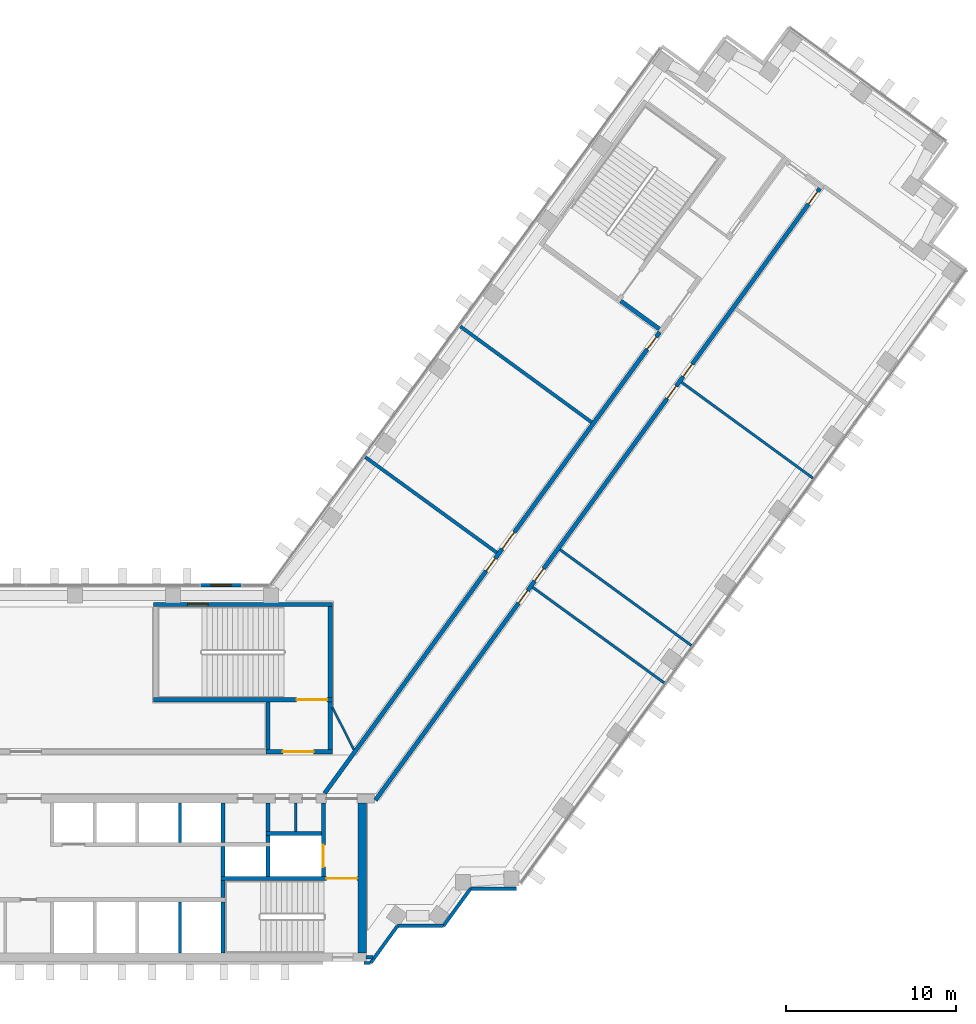
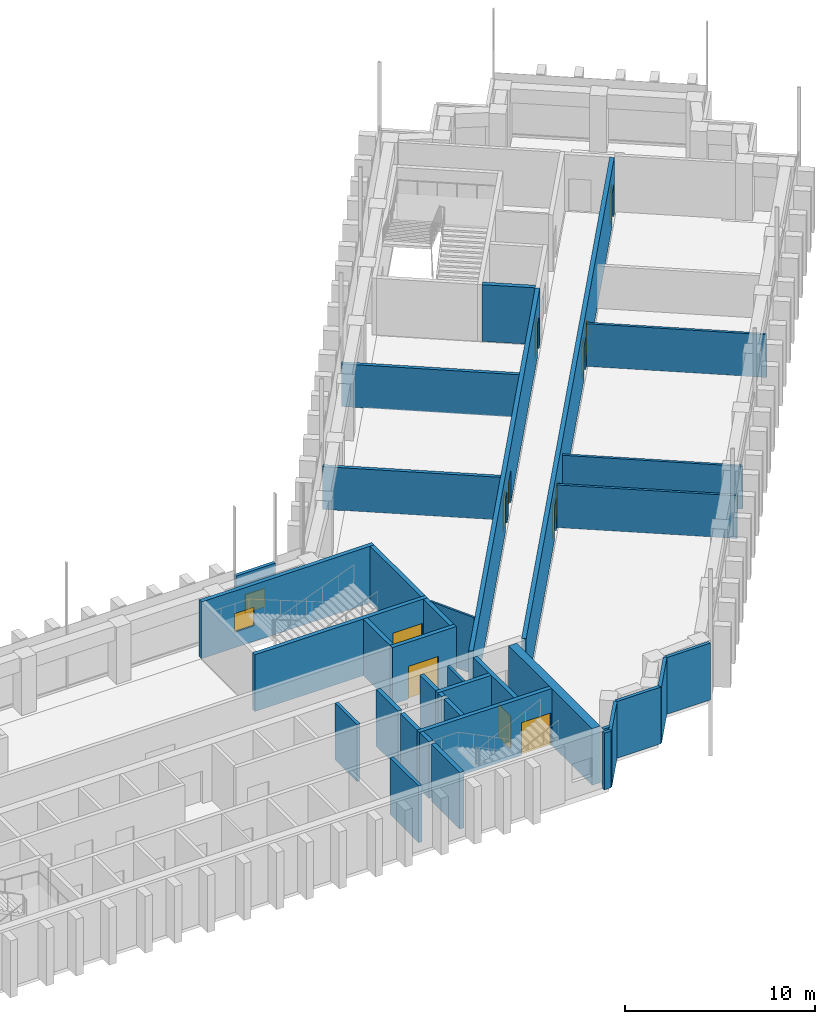
# One storey, part 13 of 19: 36 walls, 12 doors, 2 windows, 14 openings.
"""IFC4 building model written with IfcOpenShell, lengths in metres."""

from ifc_helpers import new_model, si_unit, direction, frame, frame_2d, origin, place, context, subcontext, project, spatial, rectangle, extrude, material, layer, layer_set, type_object, element, fill, save


model = new_model("IFC4")

# Units and contexts
model_context = context("Model", 3, precision=1e-05, world=origin(), true_north=direction((0.0, 1.0)))
body_context = subcontext(model_context, "Body", "Model", "MODEL_VIEW")
ifc_project = project(units=[si_unit("LENGTHUNIT", "METRE"), si_unit("AREAUNIT", "SQUARE_METRE"), si_unit("VOLUMEUNIT", "CUBIC_METRE"), si_unit("PLANEANGLEUNIT", "RADIAN"), si_unit("MASSUNIT", "GRAM", prefix="KILO")], contexts=[model_context])

# Site, building, storey
site_placement = place(None, origin())
site = spatial("IfcSite", under=ifc_project, at=site_placement, CompositionType="ELEMENT")
building_placement = place(site_placement, origin())
building = spatial("IfcBuilding", under=site, at=building_placement, Name="Quipu Civic Tower", CompositionType="ELEMENT")
storey_placement = place(building_placement, frame((0.0, 0.0, 47.0)))
storey = spatial("IfcBuildingStorey", under=building, at=storey_placement, Name="L10", CompositionType="ELEMENT", Elevation=47.0)

# Walls
ifc_material_1 = material(Name="Double gypsum plasterboard with mineral wool")
ifc_layer_1 = layer(ifc_material_1, 0.14990234375)
ifc_layer_set_1 = layer_set([ifc_layer_1], Name="Double gypsum plasterboard with mineral wool")
wall_type_1 = type_object("IfcWallType", Name="Acoustic partition 150 plasterboard", PredefinedType="PARTITIONING", material=ifc_layer_set_1)
wall_1_placement = place(storey_placement, frame((38.521728515625, 23.026123046875, 0.0), z_axis=(0.0, 0.0, 1.0), x_axis=(0.807606997933, -0.589721067023, 0.0)))
element("IfcWall", 1, at=wall_1_placement, inside=storey, type_object=wall_type_1, Name="Partition P06", PredefinedType="PARTITIONING", context=body_context, shape_type="SweptSolid", body=[
    extrude(rectangle(XDim=9.550048828125, YDim=0.14990234375, at=frame_2d((4.77490234375, 0.0))), origin(), (0.0, 0.0, 1.0), 2.75),
])
for number, where, z_axis, x_axis, name in (
    (2, (37.495849609375, 5.36669921875, 0.0), (0.0, 0.0, 1.0), (-0.809048817734, 0.587741448702, 0.0), "Partition P12"),
    (3, (31.3798828125, 13.1962890625, 0.0), (0.0, 0.0, 1.0), (0.807691251741, -0.589605666408, 0.0), "Partition P13"),
):
    element("IfcWall", number, at=place(storey_placement, frame(where, z_axis=z_axis, x_axis=x_axis)), inside=storey, type_object=wall_type_1, Name=name, PredefinedType="PARTITIONING", context=body_context, shape_type="SweptSolid", body=[
        extrude(rectangle(XDim=9.55029296875, YDim=0.14990234375, at=frame_2d((4.775146484375, 0.0))), origin(), (0.0, 0.0, 1.0), 2.75),
    ])
ifc_material_2 = material(Name="Fired clay blockwork", Category="masonry")
ifc_layer_2 = layer(ifc_material_2, 0.199951171875)
ifc_layer_set_2 = layer_set([ifc_layer_2], Name="Fired clay blockwork")
wall_type_2 = type_object("IfcWallType", Name="Blockwork wall 200", PredefinedType="SOLIDWALL", material=ifc_layer_set_2)
wall_2_placement = place(storey_placement, frame((27.664306640625, 13.015869140625, 0.0), z_axis=(0.0, 0.0, 1.0), x_axis=(-0.80900684162, 0.587799226107, 0.0)))
element("IfcWall", 4, at=wall_2_placement, inside=storey, type_object=wall_type_2, Name="Partition P05", PredefinedType="SOLIDWALL", context=body_context, shape_type="SweptSolid", body=[
    extrude(rectangle(XDim=9.550048828125, YDim=0.199951171875, at=frame_2d((4.77490234375, 0.0))), origin(), (0.0, 0.0, 1.0), 2.75),
])
wall_3_placement = place(storey_placement, frame((25.517578125, 26.30859375, 0.0), z_axis=(0.0, 0.0, 1.0), x_axis=(0.807610282865, -0.589716568371, 0.0)))
element("IfcWall", 5, at=wall_3_placement, inside=storey, type_object=wall_type_2, Name="Partition P11", PredefinedType="SOLIDWALL", context=body_context, shape_type="SweptSolid", body=[
    extrude(rectangle(XDim=9.549560546875, YDim=0.199951171875, at=frame_2d((4.77490234375, 0.0))), origin(), (0.0, 0.0, 1.0), 2.75),
])
ifc_material_3 = material(Name="Concrete C70/85", Category="concrete")
ifc_layer_3 = layer(ifc_material_3, 0.25)
ifc_layer_set_3 = layer_set([ifc_layer_3], Name="Concrete C70/85")
wall_type_3 = type_object("IfcWallType", Name="Core wall 250", PredefinedType="SHEAR", material=ifc_layer_set_3)
wall_4_placement = place(storey_placement, frame((11.574951171875, -10.5, 0.0), z_axis=(0.0, 0.0, 1.0), x_axis=(0.0, 1.0, 0.0)))
element("IfcWall", 6, at=wall_4_placement, inside=storey, type_object=wall_type_3, Name="Core wall", PredefinedType="SHEAR", context=body_context, shape_type="SweptSolid", body=[
    extrude(rectangle(XDim=3.0, YDim=0.25, at=frame_2d((1.5, 0.0))), origin(), (0.0, 0.0, 1.0), 3.64990234375),
])
wall_5_placement = place(storey_placement, frame((11.574951171875, -7.25, 0.0), z_axis=(0.0, 0.0, 1.0), x_axis=(0.0, 1.0, 0.0)))
element("IfcWall", 7, at=wall_5_placement, inside=storey, type_object=wall_type_3, Name="Core wall", PredefinedType="SHEAR", context=body_context, shape_type="SweptSolid", body=[
    extrude(rectangle(XDim=1.0, YDim=0.25, at=frame_2d((0.5, 0.0))), origin(), (0.0, 0.0, 1.0), 3.64990234375),
])

# Wall, opening, door
wall_6_placement = place(storey_placement, frame((19.5, -6.125, 0.0), z_axis=(0.0, 0.0, 1.0), x_axis=(-1.0, 0.0, 0.0)))
wall_6 = element("IfcWall", 8, at=wall_6_placement, inside=storey, type_object=wall_type_3, Name="Core wall", PredefinedType="SHEAR", context=body_context, shape_type="SweptSolid", body=[
    extrude(rectangle(XDim=8.050048828125, YDim=0.25, at=frame_2d((4.02490234375, 0.0))), origin(), (0.0, 0.0, 1.0), 3.64990234375),
])
opening_1_placement = place(wall_6_placement, frame((0.050048828125, 0.0, 0.0)))
opening_1 = element("IfcOpeningElement", 9, at=opening_1_placement, cuts=wall_6, Name="Opening CD-04", PredefinedType="OPENING", context=body_context, shape_type="SweptSolid", body=[
    extrude(rectangle(XDim=1.800048828125, YDim=2.10009765625, at=frame_2d((0.89990234375, 1.050048828125))), frame((0.0, 0.135009765625, 0.0), z_axis=(0.0, -1.0, 0.0), x_axis=(1.0, 0.0, 0.0)), (0.0, 0.0, 1.0), 0.27001953125),
])
ifc_material_4 = material(Name="Fire rated steel door", Category="steel")
door_type_1 = type_object("IfcDoorType", Name="Fire door FD90 double 1800 x 2100", OperationType="NOTDEFINED", PredefinedType="DOOR", material=ifc_material_4)
door_1_placement = place(opening_1_placement, origin())
door_1 = element("IfcDoor", 10, at=door_1_placement, inside=storey, type_object=door_type_1, Name="Door", OperationType="DOUBLE_DOOR_SINGLE_SWING", OverallHeight=2.10009765625, OverallWidth=1.800048828125, PredefinedType="DOOR", context=body_context, shape_type="SweptSolid", body=[
    extrude(rectangle(XDim=1.800048828125, YDim=2.10009765625, at=frame_2d((0.89990234375, 1.050048828125))), frame((0.0, 0.02490234375, 0.0), z_axis=(0.0, -1.0, 0.0), x_axis=(1.0, 0.0, 0.0)), (0.0, 0.0, 1.0), 0.050048828125),
])
fill(opening_1, door_1)

# Walls
for number, where, z_axis, x_axis, name in (
    (11, (11.574951171875, -6.0, 0.0), (0.0, 0.0, 1.0), (0.0, 1.0, 0.0), "Core wall"),
    (12, (14.22509765625, -6.0, 0.0), (0.0, 0.0, 1.0), (0.0, 1.0, 0.0), "Core wall"),
):
    element("IfcWall", number, at=place(storey_placement, frame(where, z_axis=z_axis, x_axis=x_axis)), inside=storey, type_object=wall_type_3, Name=name, PredefinedType="SHEAR", context=body_context, shape_type="SweptSolid", body=[
        extrude(rectangle(XDim=1.75, YDim=0.25, at=frame_2d((0.875, 0.0))), origin(), (0.0, 0.0, 1.0), 3.64990234375),
    ])

# Wall, opening, door
wall_7_placement = place(storey_placement, frame((17.47509765625, -6.0, 0.0), z_axis=(0.0, 0.0, 1.0), x_axis=(0.0, 1.0, 0.0)))
wall_7 = element("IfcWall", 13, at=wall_7_placement, inside=storey, type_object=wall_type_3, Name="Core wall", PredefinedType="SHEAR", context=body_context, shape_type="SweptSolid", body=[
    extrude(rectangle(XDim=4.300048828125, YDim=0.25, at=frame_2d((2.14990234375, 0.0))), origin(), (0.0, 0.0, 1.0), 3.64990234375),
])
opening_2_placement = place(wall_7_placement, frame((0.550048828125, 0.0, 0.0)))
opening_2 = element("IfcOpeningElement", 14, at=opening_2_placement, cuts=wall_7, Name="Opening LD-FF2", PredefinedType="OPENING", context=body_context, shape_type="SweptSolid", body=[
    extrude(rectangle(XDim=1.300048828125, YDim=2.10009765625, at=frame_2d((0.64990234375, 1.050048828125))), frame((0.0, 0.135009765625, 0.0), z_axis=(0.0, -1.0, 0.0), x_axis=(1.0, 0.0, 0.0)), (0.0, 0.0, 1.0), 0.27001953125),
])
ifc_material_5 = material(Name="Stainless steel", Category="steel")
door_type_2 = type_object("IfcDoorType", Name="Lift landing door 1300 x 2100", OperationType="DOUBLE_DOOR_SLIDING", PredefinedType="DOOR", material=ifc_material_5)
door_2_placement = place(opening_2_placement, origin())
door_2 = element("IfcDoor", 15, at=door_2_placement, inside=storey, type_object=door_type_2, Name="Landing door FF2", OperationType="DOUBLE_DOOR_SLIDING", OverallHeight=2.10009765625, OverallWidth=1.300048828125, PredefinedType="DOOR", context=body_context, shape_type="SweptSolid", body=[
    extrude(rectangle(XDim=1.300048828125, YDim=2.10009765625, at=frame_2d((0.64990234375, 1.050048828125))), frame((0.0, 0.02490234375, 0.0), z_axis=(0.0, -1.0, 0.0), x_axis=(1.0, 0.0, 0.0)), (0.0, 0.0, 1.0), 0.050048828125),
])
fill(opening_2, door_2)

# Walls
wall_8_placement = place(storey_placement, frame((11.574951171875, -4.0, 0.0), z_axis=(0.0, 0.0, 1.0), x_axis=(0.0, 1.0, 0.0)))
element("IfcWall", 16, at=wall_8_placement, inside=storey, type_object=wall_type_3, Name="Core wall", PredefinedType="SHEAR", context=body_context, shape_type="SweptSolid", body=[
    extrude(rectangle(XDim=2.300048828125, YDim=0.25, at=frame_2d((1.14990234375, 0.0))), origin(), (0.0, 0.0, 1.0), 3.64990234375),
])
wall_9_placement = place(storey_placement, frame((14.22509765625, -4.0, 0.0), z_axis=(0.0, 0.0, 1.0), x_axis=(0.0, 1.0, 0.0)))
element("IfcWall", 17, at=wall_9_placement, inside=storey, type_object=wall_type_3, Name="Core wall", PredefinedType="SHEAR", context=body_context, shape_type="SweptSolid", body=[
    extrude(rectangle(XDim=0.39990234375, YDim=0.25, at=frame_2d((0.199951171875, 0.0))), origin(), (0.0, 0.0, 1.0), 3.64990234375),
])
wall_10_placement = place(storey_placement, frame((14.10009765625, -3.47509765625, 0.0), z_axis=(0.0, 0.0, 1.0), x_axis=(1.0, 0.0, 0.0)))
element("IfcWall", 18, at=wall_10_placement, inside=storey, type_object=wall_type_3, Name="Core wall", PredefinedType="SHEAR", context=body_context, shape_type="SweptSolid", body=[
    extrude(rectangle(XDim=3.25, YDim=0.25, at=frame_2d((1.625, 0.0))), origin(), (0.0, 0.0, 1.0), 3.64990234375),
])
wall_11_placement = place(storey_placement, frame((14.22509765625, -3.35009765625, 0.0), z_axis=(0.0, 0.0, 1.0), x_axis=(0.0, 1.0, 0.0)))
element("IfcWall", 19, at=wall_11_placement, inside=storey, type_object=wall_type_3, Name="Core wall", PredefinedType="SHEAR", context=body_context, shape_type="SweptSolid", body=[
    extrude(rectangle(XDim=1.650146484375, YDim=0.25, at=frame_2d((0.8251953125, 0.0))), origin(), (0.0, 0.0, 1.0), 3.64990234375),
])

# Wall, opening, door
wall_12_placement = place(storey_placement, frame((14.10009765625, 1.324951171875, 0.0), z_axis=(0.0, 0.0, 1.0), x_axis=(1.0, 0.0, 0.0)))
wall_12 = element("IfcWall", 20, at=wall_12_placement, inside=storey, type_object=wall_type_3, Name="Core wall", PredefinedType="SHEAR", context=body_context, shape_type="SweptSolid", body=[
    extrude(rectangle(XDim=3.89990234375, YDim=0.25, at=frame_2d((1.949951171875, 0.0))), origin(), (0.0, 0.0, 1.0), 3.64990234375),
])
opening_3_placement = place(wall_12_placement, frame((1.0, 0.0, 0.0)))
opening_3 = element("IfcOpeningElement", 21, at=opening_3_placement, cuts=wall_12, Name="Opening CD-16", PredefinedType="OPENING", context=body_context, shape_type="SweptSolid", body=[
    extrude(rectangle(XDim=1.800048828125, YDim=2.10009765625, at=frame_2d((0.89990234375, 1.050048828125))), frame((0.0, 0.135009765625, 0.0), z_axis=(0.0, -1.0, 0.0), x_axis=(1.0, 0.0, 0.0)), (0.0, 0.0, 1.0), 0.27001953125),
])
door_3_placement = place(opening_3_placement, origin())
door_3 = element("IfcDoor", 22, at=door_3_placement, inside=storey, type_object=door_type_1, Name="Lobby door", OperationType="DOUBLE_DOOR_SINGLE_SWING", OverallHeight=2.10009765625, OverallWidth=1.800048828125, PredefinedType="DOOR", context=body_context, shape_type="SweptSolid", body=[
    extrude(rectangle(XDim=1.800048828125, YDim=2.10009765625, at=frame_2d((0.89990234375, 1.050048828125))), frame((0.0, 0.02490234375, 0.0), z_axis=(0.0, -1.0, 0.0), x_axis=(1.0, 0.0, 0.0)), (0.0, 0.0, 1.0), 0.050048828125),
])
fill(opening_3, door_3)

# Walls
for number, where, z_axis, x_axis, name in (
    (23, (14.22509765625, 1.449951171875, 0.0), (0.0, 0.0, 1.0), (0.0, 1.0, 0.0), "Core wall"),
    (24, (17.875, 1.449951171875, 0.0), (0.0, 0.0, 1.0), (0.0, 1.0, 0.0), "Core wall"),
):
    element("IfcWall", number, at=place(storey_placement, frame(where, z_axis=z_axis, x_axis=x_axis)), inside=storey, type_object=wall_type_3, Name=name, PredefinedType="SHEAR", context=body_context, shape_type="SweptSolid", body=[
        extrude(rectangle(XDim=2.800048828125, YDim=0.25, at=frame_2d((1.39990234375, 0.0))), origin(), (0.0, 0.0, 1.0), 3.64990234375),
    ])

# Wall, opening, door
wall_13_placement = place(storey_placement, frame((7.5, 4.375, 0.0), z_axis=(0.0, 0.0, 1.0), x_axis=(1.0, 0.0, 0.0)))
wall_13 = element("IfcWall", 25, at=wall_13_placement, inside=storey, type_object=wall_type_3, Name="Core wall", PredefinedType="SHEAR", context=body_context, shape_type="SweptSolid", body=[
    extrude(rectangle(XDim=10.5, YDim=0.25, at=frame_2d((5.25, 0.0))), origin(), (0.0, 0.0, 1.0), 3.64990234375),
])
opening_4_placement = place(wall_13_placement, frame((8.39990234375, 0.0, 0.0)))
opening_4 = element("IfcOpeningElement", 26, at=opening_4_placement, cuts=wall_13, Name="Opening CD-17", PredefinedType="OPENING", context=body_context, shape_type="SweptSolid", body=[
    extrude(rectangle(XDim=1.800048828125, YDim=2.10009765625, at=frame_2d((0.89990234375, 1.050048828125))), frame((0.0, 0.135009765625, 0.0), z_axis=(0.0, -1.0, 0.0), x_axis=(1.0, 0.0, 0.0)), (0.0, 0.0, 1.0), 0.27001953125),
])
door_4_placement = place(opening_4_placement, origin())
door_4 = element("IfcDoor", 27, at=door_4_placement, inside=storey, type_object=door_type_1, Name="Door", OperationType="DOUBLE_DOOR_SINGLE_SWING", OverallHeight=2.10009765625, OverallWidth=1.800048828125, PredefinedType="DOOR", context=body_context, shape_type="SweptSolid", body=[
    extrude(rectangle(XDim=1.800048828125, YDim=2.10009765625, at=frame_2d((0.89990234375, 1.050048828125))), frame((0.0, 0.02490234375, 0.0), z_axis=(0.0, -1.0, 0.0), x_axis=(1.0, 0.0, 0.0)), (0.0, 0.0, 1.0), 0.050048828125),
])
fill(opening_4, door_4)

# Wall
wall_14_placement = place(storey_placement, frame((17.875, 4.5, 0.0), z_axis=(0.0, 0.0, 1.0), x_axis=(0.0, 1.0, 0.0)))
element("IfcWall", 28, at=wall_14_placement, inside=storey, type_object=wall_type_3, Name="Core wall", PredefinedType="SHEAR", context=body_context, shape_type="SweptSolid", body=[
    extrude(rectangle(XDim=5.35009765625, YDim=0.25, at=frame_2d((2.675048828125, 0.0))), origin(), (0.0, 0.0, 1.0), 3.64990234375),
])

# Wall, opening, window
wall_15_placement = place(storey_placement, frame((7.5, 9.97509765625, 0.0), z_axis=(0.0, 0.0, 1.0), x_axis=(1.0, 0.0, 0.0)))
wall_15 = element("IfcWall", 29, at=wall_15_placement, inside=storey, type_object=wall_type_3, Name="Core wall", PredefinedType="SHEAR", context=body_context, shape_type="SweptSolid", body=[
    extrude(rectangle(XDim=10.5, YDim=0.25, at=frame_2d((5.25, 0.0))), origin(), (0.0, 0.0, 1.0), 3.64990234375),
])
opening_5_placement = place(wall_15_placement, frame((2.0, 0.0, 1.0)))
opening_5 = element("IfcOpeningElement", 30, at=opening_5_placement, cuts=wall_15, Name="Opening SV-4", PredefinedType="OPENING", context=body_context, shape_type="SweptSolid", body=[
    extrude(rectangle(XDim=1.199951171875, YDim=1.199951171875, at=frame_2d((0.60009765625, 0.60009765625))), frame((0.0, 0.135009765625, 0.0), z_axis=(0.0, -1.0, 0.0), x_axis=(1.0, 0.0, 0.0)), (0.0, 0.0, 1.0), 0.27001953125),
])
ifc_material_6 = material(Name="Aluminium louvre", Category="aluminium")
window_type_1 = type_object("IfcWindowType", Name="Stair ventilation louvre 1200 x 1200", PartitioningType="SINGLE_PANEL", PredefinedType="WINDOW", material=ifc_material_6)
window_1_placement = place(opening_5_placement, origin())
window_1 = element("IfcWindow", 31, at=window_1_placement, inside=storey, type_object=window_type_1, Name="Stair ventilation opening", OverallHeight=1.199951171875, OverallWidth=1.199951171875, PartitioningType="SINGLE_PANEL", PredefinedType="WINDOW", context=body_context, shape_type="SweptSolid", body=[
    extrude(rectangle(XDim=1.199951171875, YDim=1.199951171875, at=frame_2d((0.60009765625, 0.60009765625))), frame((0.0, 0.030029296875, 0.0), z_axis=(0.0, -1.0, 0.0), x_axis=(1.0, 0.0, 0.0)), (0.0, 0.0, 1.0), 0.06005859375),
])
fill(opening_5, window_1)

# Walls
wall_16_placement = place(storey_placement, frame((37.2099609375, 26.154296875, 0.0), z_axis=(0.0, 0.0, 1.0), x_axis=(-0.809041377956, 0.587751689708, 0.0)))
element("IfcWall", 32, at=wall_16_placement, inside=storey, type_object=wall_type_3, Name="Core wall", PredefinedType="SHEAR", context=body_context, shape_type="SweptSolid", body=[
    extrude(rectangle(XDim=2.800048828125, YDim=0.25, at=frame_2d((1.39990234375, 0.0))), origin(), (0.0, 0.0, 1.0), 3.64990234375),
])
ifc_material_7 = material(Name="Concrete C70/85", Category="concrete")
ifc_layer_4 = layer(ifc_material_7, 0.5)
ifc_layer_set_4 = layer_set([ifc_layer_4], Name="Concrete C70/85")
wall_type_4 = type_object("IfcWallType", Name="Core wall 500", PredefinedType="SHEAR", material=ifc_layer_set_4)
wall_17_placement = place(storey_placement, frame((19.75, -10.5, 0.0), z_axis=(0.0, 0.0, 1.0), x_axis=(0.0, 1.0, 0.0)))
element("IfcWall", 33, at=wall_17_placement, inside=storey, type_object=wall_type_4, Name="Core wall", PredefinedType="SHEAR", context=body_context, shape_type="SweptSolid", body=[
    extrude(rectangle(XDim=8.800048828125, YDim=0.5, at=frame_2d((4.39990234375, 0.0))), origin(), (0.0, 0.0, 1.0), 3.64990234375),
])

# Wall, openings, doors
ifc_material_8 = material(Name="Concrete C50/60", Category="concrete")
ifc_layer_5 = layer(ifc_material_8, 0.25)
ifc_layer_set_5 = layer_set([ifc_layer_5], Name="Concrete C50/60")
wall_type_5 = type_object("IfcWallType", Name="Corridor wall 250 concrete", PredefinedType="SOLIDWALL", material=ifc_layer_set_5)
wall_18_placement = place(storey_placement, frame((17.544921875, -1.124755859375, 0.0), z_axis=(0.0, 0.0, 1.0), x_axis=(0.587786323093, 0.809016216391, 0.0)))
wall_18 = element("IfcWall", 34, at=wall_18_placement, inside=storey, type_object=wall_type_5, Name="Corridor wall C06", PredefinedType="SOLIDWALL", context=body_context, shape_type="SweptSolid", body=[
    extrude(rectangle(XDim=33.4931640625, YDim=0.25, at=frame_2d((16.74658203125, 0.0))), origin(), (0.0, 0.0, 1.0), 3.64990234375),
])
opening_6_placement = place(wall_18_placement, frame((16.158203125, 0.0, 0.0)))
opening_6 = element("IfcOpeningElement", 35, at=opening_6_placement, cuts=wall_18, Name="Opening D001", PredefinedType="OPENING", context=body_context, shape_type="SweptSolid", body=[
    extrude(rectangle(XDim=0.89990234375, YDim=2.10009765625, at=frame_2d((0.449951171875, 1.050048828125))), frame((0.0, 0.135009765625, 0.0), z_axis=(0.0, -1.0, 0.0), x_axis=(1.0, 0.0, 0.0)), (0.0, 0.0, 1.0), 0.27001953125),
])
opening_7_placement = place(wall_18_placement, frame((32.2529296875, 0.0, 0.0)))
opening_7 = element("IfcOpeningElement", 36, at=opening_7_placement, cuts=wall_18, Name="Opening D003", PredefinedType="OPENING", context=body_context, shape_type="SweptSolid", body=[
    extrude(rectangle(XDim=0.89990234375, YDim=2.10009765625, at=frame_2d((0.449951171875, 1.050048828125))), frame((0.0, 0.135009765625, 0.0), z_axis=(0.0, -1.0, 0.0), x_axis=(1.0, 0.0, 0.0)), (0.0, 0.0, 1.0), 0.27001953125),
])
opening_8_placement = place(wall_18_placement, frame((17.757080078125, 0.0, 0.0)))
opening_8 = element("IfcOpeningElement", 37, at=opening_8_placement, cuts=wall_18, Name="Opening D002", PredefinedType="OPENING", context=body_context, shape_type="SweptSolid", body=[
    extrude(rectangle(XDim=1.199951171875, YDim=2.10009765625, at=frame_2d((0.60009765625, 1.050048828125))), frame((0.0, 0.135009765625, 0.0), z_axis=(0.0, -1.0, 0.0), x_axis=(1.0, 0.0, 0.0)), (0.0, 0.0, 1.0), 0.27001953125),
])
ifc_material_9 = material(Name="Fire rated timber door set with metal frame", Category="wood")
door_type_3 = type_object("IfcDoorType", Name="Single door 1200 x 2100 FD60", OperationType="NOTDEFINED", PredefinedType="DOOR", material=ifc_material_9)
door_5_placement = place(opening_8_placement, origin())
door_5 = element("IfcDoor", 38, at=door_5_placement, inside=storey, type_object=door_type_3, Name="Door D002", OperationType="SINGLE_SWING_LEFT", OverallHeight=2.10009765625, OverallWidth=1.199951171875, PredefinedType="DOOR", context=body_context, shape_type="SweptSolid", body=[
    extrude(rectangle(XDim=1.199951171875, YDim=2.10009765625, at=frame_2d((0.60009765625, 1.050048828125))), frame((0.0, 0.02490234375, 0.0), z_axis=(0.0, -1.0, 0.0), x_axis=(1.0, 0.0, 0.0)), (0.0, 0.0, 1.0), 0.050048828125),
])
fill(opening_8, door_5)
ifc_material_10 = material(Name="Fire rated timber door set with metal frame", Category="wood")
door_type_4 = type_object("IfcDoorType", Name="Single door 900 x 2100 FD60", OperationType="NOTDEFINED", PredefinedType="DOOR", material=ifc_material_10)
door_6_placement = place(opening_6_placement, origin())
door_6 = element("IfcDoor", 39, at=door_6_placement, inside=storey, type_object=door_type_4, Name="Door D001", OperationType="SINGLE_SWING_RIGHT", OverallHeight=2.10009765625, OverallWidth=0.89990234375, PredefinedType="DOOR", context=body_context, shape_type="SweptSolid", body=[
    extrude(rectangle(XDim=0.89990234375, YDim=2.10009765625, at=frame_2d((0.449951171875, 1.050048828125))), frame((0.0, 0.02490234375, 0.0), z_axis=(0.0, -1.0, 0.0), x_axis=(1.0, 0.0, 0.0)), (0.0, 0.0, 1.0), 0.050048828125),
])
fill(opening_6, door_6)
door_7_placement = place(opening_7_placement, origin())
door_7 = element("IfcDoor", 40, at=door_7_placement, inside=storey, type_object=door_type_4, Name="Door D003", OperationType="SINGLE_SWING_RIGHT", OverallHeight=2.10009765625, OverallWidth=0.89990234375, PredefinedType="DOOR", context=body_context, shape_type="SweptSolid", body=[
    extrude(rectangle(XDim=0.89990234375, YDim=2.10009765625, at=frame_2d((0.449951171875, 1.050048828125))), frame((0.0, 0.02490234375, 0.0), z_axis=(0.0, -1.0, 0.0), x_axis=(1.0, 0.0, 0.0)), (0.0, 0.0, 1.0), 0.050048828125),
])
fill(opening_7, door_7)

wall_19_placement = place(storey_placement, frame((46.640625, 34.413330078125, 0.0), z_axis=(0.0, 0.0, 1.0), x_axis=(-0.587785682186, -0.809016682039, 0.0)))
wall_19 = element("IfcWall", 41, at=wall_19_placement, inside=storey, type_object=wall_type_5, Name="Corridor wall C09", PredefinedType="SOLIDWALL", context=body_context, shape_type="SweptSolid", body=[
    extrude(rectangle(XDim=44.42041015625, YDim=0.25, at=frame_2d((22.210205078125, 0.0))), origin(), (0.0, 0.0, 1.0), 3.64990234375),
])
opening_9_placement = place(wall_19_placement, frame((12.7548828125, 0.0, 0.0)))
opening_9 = element("IfcOpeningElement", 42, at=opening_9_placement, cuts=wall_19, Name="Opening D008", PredefinedType="OPENING", context=body_context, shape_type="SweptSolid", body=[
    extrude(rectangle(XDim=0.89990234375, YDim=2.10009765625, at=frame_2d((0.449951171875, 1.050048828125))), frame((0.0, 0.135009765625, 0.0), z_axis=(0.0, -1.0, 0.0), x_axis=(1.0, 0.0, 0.0)), (0.0, 0.0, 1.0), 0.27001953125),
])
opening_10_placement = place(wall_19_placement, frame((29.20458984375, 0.0, 0.0)))
opening_10 = element("IfcOpeningElement", 43, at=opening_10_placement, cuts=wall_19, Name="Opening D005", PredefinedType="OPENING", context=body_context, shape_type="SweptSolid", body=[
    extrude(rectangle(XDim=0.89990234375, YDim=2.10009765625, at=frame_2d((0.449951171875, 1.050048828125))), frame((0.0, 0.135009765625, 0.0), z_axis=(0.0, -1.0, 0.0), x_axis=(1.0, 0.0, 0.0)), (0.0, 0.0, 1.0), 0.27001953125),
])
opening_11_placement = place(wall_19_placement, frame((14.354248046875, 0.0, 0.0)))
opening_11 = element("IfcOpeningElement", 44, at=opening_11_placement, cuts=wall_19, Name="Opening D007", PredefinedType="OPENING", context=body_context, shape_type="SweptSolid", body=[
    extrude(rectangle(XDim=0.89990234375, YDim=2.10009765625, at=frame_2d((0.449951171875, 1.050048828125))), frame((0.0, 0.135009765625, 0.0), z_axis=(0.0, -1.0, 0.0), x_axis=(1.0, 0.0, 0.0)), (0.0, 0.0, 1.0), 0.27001953125),
])
opening_12_placement = place(wall_19_placement, frame((27.6044921875, 0.0, 0.0)))
opening_12 = element("IfcOpeningElement", 45, at=opening_12_placement, cuts=wall_19, Name="Opening D006", PredefinedType="OPENING", context=body_context, shape_type="SweptSolid", body=[
    extrude(rectangle(XDim=0.89990234375, YDim=2.10009765625, at=frame_2d((0.449951171875, 1.050048828125))), frame((0.0, 0.135009765625, 0.0), z_axis=(0.0, -1.0, 0.0), x_axis=(1.0, 0.0, 0.0)), (0.0, 0.0, 1.0), 0.27001953125),
])
opening_13_placement = place(wall_19_placement, frame((0.224853515625, 0.0, 0.0)))
opening_13 = element("IfcOpeningElement", 46, at=opening_13_placement, cuts=wall_19, Name="Opening D009", PredefinedType="OPENING", context=body_context, shape_type="SweptSolid", body=[
    extrude(rectangle(XDim=0.89990234375, YDim=2.10009765625, at=frame_2d((0.449951171875, 1.050048828125))), frame((0.0, 0.135009765625, 0.0), z_axis=(0.0, -1.0, 0.0), x_axis=(1.0, 0.0, 0.0)), (0.0, 0.0, 1.0), 0.27001953125),
])
door_8_placement = place(opening_9_placement, origin())
door_8 = element("IfcDoor", 47, at=door_8_placement, inside=storey, type_object=door_type_4, Name="Door D008", OperationType="SINGLE_SWING_RIGHT", OverallHeight=2.10009765625, OverallWidth=0.89990234375, PredefinedType="DOOR", context=body_context, shape_type="SweptSolid", body=[
    extrude(rectangle(XDim=0.89990234375, YDim=2.10009765625, at=frame_2d((0.449951171875, 1.050048828125))), frame((0.0, 0.02490234375, 0.0), z_axis=(0.0, -1.0, 0.0), x_axis=(1.0, 0.0, 0.0)), (0.0, 0.0, 1.0), 0.050048828125),
])
fill(opening_9, door_8)
door_9_placement = place(opening_10_placement, origin())
door_9 = element("IfcDoor", 48, at=door_9_placement, inside=storey, type_object=door_type_4, Name="Door D005", OperationType="SINGLE_SWING_LEFT", OverallHeight=2.10009765625, OverallWidth=0.89990234375, PredefinedType="DOOR", context=body_context, shape_type="SweptSolid", body=[
    extrude(rectangle(XDim=0.89990234375, YDim=2.10009765625, at=frame_2d((0.449951171875, 1.050048828125))), frame((0.0, 0.02490234375, 0.0), z_axis=(0.0, -1.0, 0.0), x_axis=(1.0, 0.0, 0.0)), (0.0, 0.0, 1.0), 0.050048828125),
])
fill(opening_10, door_9)
door_10_placement = place(opening_11_placement, origin())
door_10 = element("IfcDoor", 49, at=door_10_placement, inside=storey, type_object=door_type_4, Name="Door D007", OperationType="SINGLE_SWING_LEFT", OverallHeight=2.10009765625, OverallWidth=0.89990234375, PredefinedType="DOOR", context=body_context, shape_type="SweptSolid", body=[
    extrude(rectangle(XDim=0.89990234375, YDim=2.10009765625, at=frame_2d((0.449951171875, 1.050048828125))), frame((0.0, 0.02490234375, 0.0), z_axis=(0.0, -1.0, 0.0), x_axis=(1.0, 0.0, 0.0)), (0.0, 0.0, 1.0), 0.050048828125),
])
fill(opening_11, door_10)
door_11_placement = place(opening_12_placement, origin())
door_11 = element("IfcDoor", 50, at=door_11_placement, inside=storey, type_object=door_type_4, Name="Door D006", OperationType="SINGLE_SWING_RIGHT", OverallHeight=2.10009765625, OverallWidth=0.89990234375, PredefinedType="DOOR", context=body_context, shape_type="SweptSolid", body=[
    extrude(rectangle(XDim=0.89990234375, YDim=2.10009765625, at=frame_2d((0.449951171875, 1.050048828125))), frame((0.0, 0.02490234375, 0.0), z_axis=(0.0, -1.0, 0.0), x_axis=(1.0, 0.0, 0.0)), (0.0, 0.0, 1.0), 0.050048828125),
])
fill(opening_12, door_11)
door_12_placement = place(opening_13_placement, origin())
door_12 = element("IfcDoor", 51, at=door_12_placement, inside=storey, type_object=door_type_4, Name="Door D009", OperationType="SINGLE_SWING_LEFT", OverallHeight=2.10009765625, OverallWidth=0.89990234375, PredefinedType="DOOR", context=body_context, shape_type="SweptSolid", body=[
    extrude(rectangle(XDim=0.89990234375, YDim=2.10009765625, at=frame_2d((0.449951171875, 1.050048828125))), frame((0.0, 0.02490234375, 0.0), z_axis=(0.0, -1.0, 0.0), x_axis=(1.0, 0.0, 0.0)), (0.0, 0.0, 1.0), 0.050048828125),
])
fill(opening_13, door_12)

# Walls
ifc_material_11 = material(Name="Gypsum plasterboard on light gauge framing")
ifc_layer_6 = layer(ifc_material_11, 0.1201171875)
ifc_layer_set_6 = layer_set([ifc_layer_6], Name="Gypsum plasterboard on light gauge framing")
wall_type_6 = type_object("IfcWallType", Name="Partition 120 plasterboard", PredefinedType="PARTITIONING", material=ifc_layer_set_6)
wall_20_placement = place(storey_placement, frame((18.0, 3.925048828125, 0.0), z_axis=(0.0, 0.0, 1.0), x_axis=(0.453950796792, -0.891026752736, 0.0)))
element("IfcWall", 52, at=wall_20_placement, inside=storey, type_object=wall_type_6, Name="Partition P19", PredefinedType="PARTITIONING", context=body_context, shape_type="SweptSolid", body=[
    extrude(rectangle(XDim=2.77783203125, YDim=0.1201171875, at=frame_2d((1.388916015625, 0.0))), origin(), (0.0, 0.0, 1.0), 3.64990234375),
])
ifc_material_12 = material(Name="Gypsum board partition")
ifc_layer_7 = layer(ifc_material_12, 0.14990234375)
ifc_layer_set_7 = layer_set([ifc_layer_7], Name="Gypsum board partition")
wall_type_7 = type_object("IfcWallType", Name="Partition 150", PredefinedType="PARTITIONING", material=ifc_layer_set_7)
wall_21_placement = place(storey_placement, frame((15.85009765625, -3.35009765625, 0.0), z_axis=(0.0, 0.0, 1.0), x_axis=(0.0, 1.0, 0.0)))
element("IfcWall", 53, at=wall_21_placement, inside=storey, type_object=wall_type_7, Name="Partition", PredefinedType="PARTITIONING", context=body_context, shape_type="SweptSolid", body=[
    extrude(rectangle(XDim=1.650146484375, YDim=0.14990234375, at=frame_2d((0.8251953125, 0.0))), origin(), (0.0, 0.0, 1.0), 3.64990234375),
])
ifc_material_13 = material(Name="Precast concrete C40/50", Category="concrete")
wall_type_8 = type_object("IfcWallType", Name="Precast cladding wall", PredefinedType="SOLIDWALL", material=ifc_material_13)
wall_22_placement = place(storey_placement, frame((19.85009765625, -11.087890625, 0.0), z_axis=(0.0, 0.0, 1.0), x_axis=(1.0, 0.0, 0.0)))
element("IfcWall", 54, at=wall_22_placement, inside=storey, type_object=wall_type_8, Name="Precast cladding wall L10 P11", PredefinedType="SOLIDWALL", context=body_context, shape_type="SweptSolid", body=[
    extrude(rectangle(XDim=0.40576171875, YDim=0.199951171875, at=frame_2d((0.202880859375, 0.0))), origin(), (0.0, 0.0, 1.0), 3.64990234375),
])
wall_23_placement = place(storey_placement, frame((20.253173828125, -11.083251953125, 0.0), z_axis=(0.0, 0.0, 1.0), x_axis=(0.587766567315, 0.809030569476, 0.0)))
element("IfcWall", 55, at=wall_23_placement, inside=storey, type_object=wall_type_8, Name="Precast cladding wall L10 P12", PredefinedType="SOLIDWALL", context=body_context, shape_type="SweptSolid", body=[
    extrude(rectangle(XDim=2.687744140625, YDim=0.199951171875, at=frame_2d((1.34375, 0.0))), origin(), (0.0, 0.0, 1.0), 3.64990234375),
])
wall_24_placement = place(storey_placement, frame((21.8427734375, -8.90380859375, 0.0), z_axis=(0.0, 0.0, 1.0), x_axis=(1.0, 0.0, 0.0)))
element("IfcWall", 56, at=wall_24_placement, inside=storey, type_object=wall_type_8, Name="Precast cladding wall L10 P13", PredefinedType="SOLIDWALL", context=body_context, shape_type="SweptSolid", body=[
    extrude(rectangle(XDim=2.699951171875, YDim=0.199951171875, at=frame_2d((1.35009765625, 0.0))), origin(), (0.0, 0.0, 1.0), 3.64990234375),
])
wall_25_placement = place(storey_placement, frame((24.533203125, -8.90869140625, 0.0), z_axis=(0.0, 0.0, 1.0), x_axis=(0.587720002413, 0.809064397168, 0.0)))
element("IfcWall", 57, at=wall_25_placement, inside=storey, type_object=wall_type_8, Name="Precast cladding wall L10 P14", PredefinedType="SOLIDWALL", context=body_context, shape_type="SweptSolid", body=[
    extrude(rectangle(XDim=2.7001953125, YDim=0.199951171875, at=frame_2d((1.35009765625, 0.0))), origin(), (0.0, 0.0, 1.0), 3.64990234375),
])
wall_26_placement = place(storey_placement, frame((26.1298828125, -6.71923828125, 0.0), z_axis=(0.0, 0.0, 1.0), x_axis=(1.0, 0.0, 0.0)))
element("IfcWall", 58, at=wall_26_placement, inside=storey, type_object=wall_type_8, Name="Precast cladding wall L10 P15", PredefinedType="SOLIDWALL", context=body_context, shape_type="SweptSolid", body=[
    extrude(rectangle(XDim=2.699951171875, YDim=0.199951171875, at=frame_2d((1.35009765625, 0.0))), origin(), (0.0, 0.0, 1.0), 3.64990234375),
])

# Wall, opening, window
wall_27_placement = place(storey_placement, frame((12.655029296875, 11.10009765625, 0.0), z_axis=(0.0, 0.0, 1.0), x_axis=(-1.0, 0.0, 0.0)))
wall_27 = element("IfcWall", 59, at=wall_27_placement, inside=storey, type_object=wall_type_8, Name="Vent surround SF-L09-2", PredefinedType="SOLIDWALL", context=body_context, shape_type="SweptSolid", body=[
    extrude(rectangle(XDim=2.3916015625, YDim=0.199951171875, at=frame_2d((1.19580078125, 0.0))), origin(), (0.0, 0.0, 1.0), 3.64990234375),
])
opening_14_placement = place(wall_27_placement, frame((0.595703125, 0.0, 1.0)))
opening_14 = element("IfcOpeningElement", 60, at=opening_14_placement, cuts=wall_27, Name="Opening SF-L09-2", PredefinedType="OPENING", context=body_context, shape_type="SweptSolid", body=[
    extrude(rectangle(XDim=1.199951171875, YDim=1.199951171875, at=frame_2d((0.60009765625, 0.60009765625))), frame((0.0, 0.10986328125, 0.0), z_axis=(0.0, -1.0, 0.0), x_axis=(1.0, 0.0, 0.0)), (0.0, 0.0, 1.0), 0.219970703125),
])
ifc_material_14 = material(Name="Anodised aluminium louvre", Category="aluminium")
window_type_2 = type_object("IfcWindowType", Name="Stair vent louvre window P3", PartitioningType="SINGLE_PANEL", PredefinedType="WINDOW", material=ifc_material_14)
window_2_placement = place(opening_14_placement, origin())
window_2 = element("IfcWindow", 61, at=window_2_placement, inside=storey, type_object=window_type_2, Name="Stair vent louvre SF-L09-2", OverallHeight=1.199951171875, OverallWidth=1.199951171875, PartitioningType="SINGLE_PANEL", PredefinedType="WINDOW", context=body_context, shape_type="SweptSolid", body=[
    extrude(rectangle(XDim=1.199951171875, YDim=1.199951171875, at=frame_2d((0.60009765625, 0.60009765625))), frame((0.0, 0.030029296875, 0.0), z_axis=(0.0, -1.0, 0.0), x_axis=(1.0, 0.0, 0.0)), (0.0, 0.0, 1.0), 0.06005859375),
])
fill(opening_14, window_2)

# Walls
wall_28_placement = place(storey_placement, frame((19.97998046875, -10.75, 0.0), z_axis=(0.0, 0.0, 1.0), x_axis=(1.0, 0.0, 0.0)))
element("IfcWall", 62, at=wall_28_placement, inside=storey, type_object=wall_type_8, Name="Precast cladding return L10 E", PredefinedType="SOLIDWALL", context=body_context, shape_type="SweptSolid", body=[
    extrude(rectangle(XDim=0.41650390625, YDim=0.199951171875, at=frame_2d((0.208251953125, 0.0))), origin(), (0.0, 0.0, 1.0), 3.64990234375),
])
ifc_material_15 = material(Name="Concrete C40/50", Category="concrete")
ifc_layer_8 = layer(ifc_material_15, 0.199951171875)
ifc_layer_set_8 = layer_set([ifc_layer_8], Name="Concrete C40/50")
wall_type_9 = type_object("IfcWallType", Name="Shaft wall 200", PredefinedType="SOLIDWALL", material=ifc_layer_set_8)
wall_29_placement = place(storey_placement, frame((9.050048828125, -10.5, 0.0), z_axis=(0.0, 0.0, 1.0), x_axis=(0.0, 1.0, 0.0)))
element("IfcWall", 63, at=wall_29_placement, inside=storey, type_object=wall_type_9, Name="Shaft wall", PredefinedType="SOLIDWALL", context=body_context, shape_type="SweptSolid", body=[
    extrude(rectangle(XDim=3.0, YDim=0.199951171875, at=frame_2d((1.5, 0.0))), origin(), (0.0, 0.0, 1.0), 3.64990234375),
])
wall_30_placement = place(storey_placement, frame((9.050048828125, -4.0, 0.0), z_axis=(0.0, 0.0, 1.0), x_axis=(0.0, 1.0, 0.0)))
element("IfcWall", 64, at=wall_30_placement, inside=storey, type_object=wall_type_9, Name="Shaft wall", PredefinedType="SOLIDWALL", context=body_context, shape_type="SweptSolid", body=[
    extrude(rectangle(XDim=2.300048828125, YDim=0.199951171875, at=frame_2d((1.14990234375, 0.0))), origin(), (0.0, 0.0, 1.0), 3.64990234375),
])

save(model, "model.ifc")
